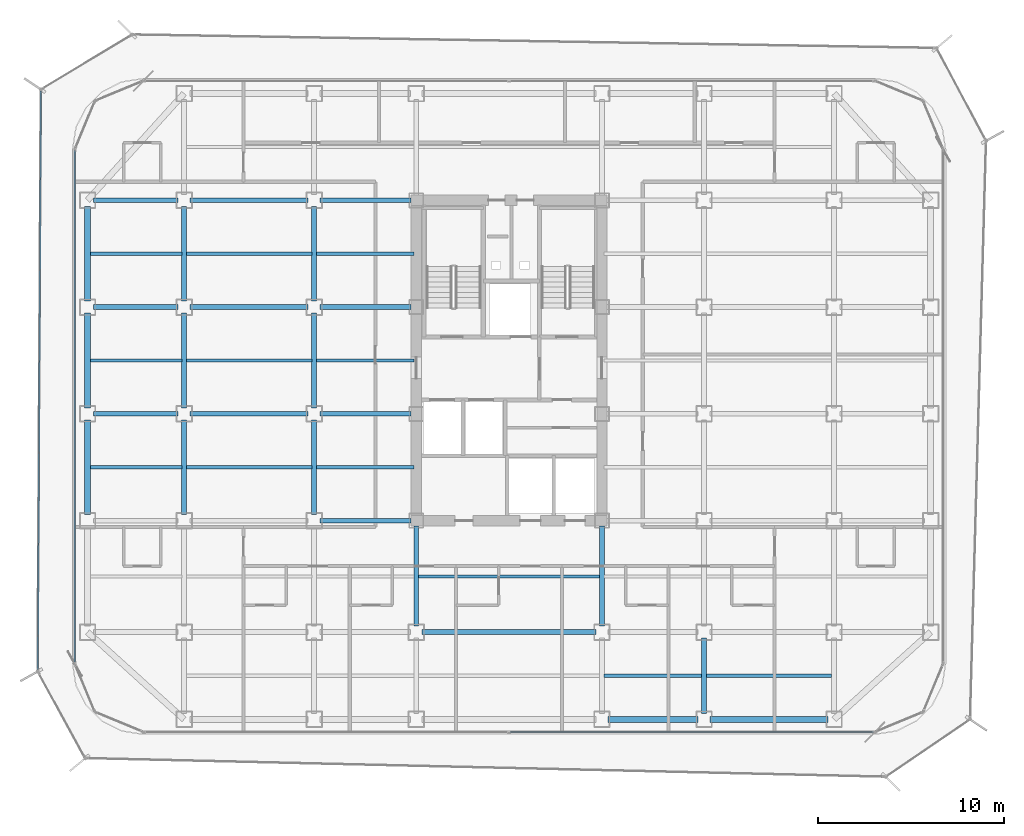
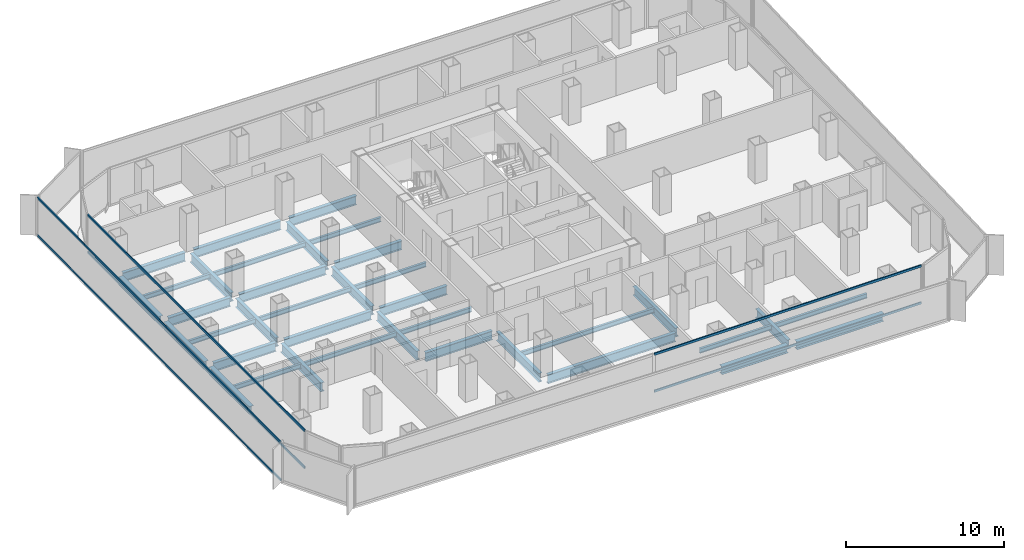
# One storey, part 5 of 21: 37 beams, 6 members, 3 elements without a shape of their own.
"""IFC4 building model written with IfcOpenShell, lengths in metres."""

from ifc_helpers import new_model, si_unit, direction, frame, origin, origin_2d, place, context, subcontext, project, spatial, hollow_rectangle, i_section, extrude, source, transform, mapped, material, layer, layer_set, material_profile, profile_set, type_object, element, aggregate, save


model = new_model("IFC4")

# Units and contexts
model_context = context("Model", 3, precision=1e-05, world=origin(), true_north=direction((0.0, 1.0)))
body_context = subcontext(model_context, "Body", "Model", "MODEL_VIEW")
ifc_project = project(units=[si_unit("LENGTHUNIT", "METRE"), si_unit("AREAUNIT", "SQUARE_METRE"), si_unit("VOLUMEUNIT", "CUBIC_METRE"), si_unit("PLANEANGLEUNIT", "RADIAN"), si_unit("MASSUNIT", "GRAM", prefix="KILO")], contexts=[model_context])

# Site, building, storey
site_placement = place(None, origin())
site = spatial("IfcSite", under=ifc_project, at=site_placement, CompositionType="ELEMENT")
building_placement = place(site_placement, origin())
building = spatial("IfcBuilding", under=site, at=building_placement, Name="Kolveth Station Tower", CompositionType="ELEMENT")
storey_placement = place(building_placement, frame((0.0, 0.0, 102.300048828125)))
storey = spatial("IfcBuildingStorey", under=building, at=storey_placement, Name="L27", CompositionType="ELEMENT", Elevation=102.300048828125)

# Beams
ifc_material_1 = material(Name="Steel S355", Category="steel")
ifc_material_profile_1 = material_profile(ifc_material_1, i_section(OverallWidth=0.323974609375, OverallDepth=0.611083984375, WebThickness=0.0126953125, FlangeThickness=0.01904296875, at=origin_2d()), Name="W610x155")
ifc_profile_set_1 = profile_set([ifc_material_profile_1], Name="Steel S355")
beam_type_1 = type_object("IfcBeamType", Name="Beam_SP2", PredefinedType="SPANDREL", material=ifc_profile_set_1)
shared_shape_1 = source(origin(), body_context, "Body", "SweptSolid", [
    extrude(i_section(OverallWidth=0.323974609375, OverallDepth=0.611083984375, WebThickness=0.0126953125, FlangeThickness=0.01904296875, at=origin_2d()), origin(), (0.0, 0.0, 1.0), 6.35986328125),
])
beam_1_placement = place(storey_placement, frame((34.320068359375, 0.800048828125, -0.5556640625), z_axis=(1.0, 0.0, 0.0), x_axis=(0.0, 1.0, 0.0)))
element("IfcBeam", 1, at=beam_1_placement, inside=storey, type_object=beam_type_1, Name="L27 Perimeter Spandrel BM-L27-PS-5", PredefinedType="SPANDREL", context=body_context, shape_type="MappedRepresentation", body=[
    mapped(shared_shape_1, transform((0.0, 0.0, 0.0), x_axis=(1.0, 0.0, 0.0), y_axis=(0.0, 1.0, 0.0), z_axis=(0.0, 0.0, 1.0), scale=1.0)),
])
shared_shape_2 = source(origin(), body_context, "Body", "SweptSolid", [
    extrude(i_section(OverallWidth=0.323974609375, OverallDepth=0.611083984375, WebThickness=0.0126953125, FlangeThickness=0.01904296875, at=origin_2d()), origin(), (0.0, 0.0, 1.0), 4.85986328125),
])
beam_2_placement = place(storey_placement, frame((28.820068359375, 0.800048828125, -0.5556640625), z_axis=(1.0, 0.0, 0.0), x_axis=(0.0, 1.0, 0.0)))
element("IfcBeam", 2, at=beam_2_placement, inside=storey, type_object=beam_type_1, Name="L27 Perimeter Spandrel BM-L27-PS-4", PredefinedType="SPANDREL", context=body_context, shape_type="MappedRepresentation", body=[
    mapped(shared_shape_2, transform((0.0, 0.0, 0.0), x_axis=(1.0, 0.0, 0.0), y_axis=(0.0, 1.0, 0.0), z_axis=(0.0, 0.0, 1.0), scale=1.0)),
])
shared_shape_3 = source(origin(), body_context, "Body", "SweptSolid", [
    extrude(i_section(OverallWidth=0.323974609375, OverallDepth=0.611083984375, WebThickness=0.0126953125, FlangeThickness=0.01904296875, at=origin_2d()), origin(), (0.0, 0.0, 1.0), 5.10986328125),
])
for number, where, z_axis, x_axis, name in (
    (3, (0.800048828125, 11.820068359375, -0.5556640625), (0.0, 1.0, 0.0), (-1.0, 0.0, 0.0), "L27 Perimeter Spandrel BM-L27-PW-2"),
    (4, (0.800048828125, 17.570068359375, -0.5556640625), (0.0, 1.0, 0.0), (-1.0, 0.0, 0.0), "L27 Perimeter Spandrel BM-L27-PW-3"),
    (5, (0.800048828125, 23.320068359375, -0.5556640625), (0.0, 1.0, 0.0), (-1.0, 0.0, 0.0), "L27 Perimeter Spandrel BM-L27-PW-4"),
):
    element("IfcBeam", number, at=place(storey_placement, frame(where, z_axis=z_axis, x_axis=x_axis)), inside=storey, type_object=beam_type_1, Name=name, PredefinedType="SPANDREL", context=body_context, shape_type="MappedRepresentation", body=[
        mapped(shared_shape_3, transform((0.0, 0.0, 0.0), x_axis=(1.0, 0.0, 0.0), y_axis=(0.0, 1.0, 0.0), z_axis=(0.0, 0.0, 1.0), scale=1.0)),
    ])
ifc_material_profile_2 = material_profile(ifc_material_1, i_section(OverallWidth=0.25390625, OverallDepth=0.68798828125, WebThickness=0.01318359375, FlangeThickness=0.02099609375, at=origin_2d()), Name="W690x152")
ifc_profile_set_2 = profile_set([ifc_material_profile_2], Name="Steel S355")
beam_type_2 = type_object("IfcBeamType", Name="Beam_B4", PredefinedType="BEAM", material=ifc_profile_set_2)
shared_shape_4 = source(origin(), body_context, "Body", "SweptSolid", [
    extrude(i_section(OverallWidth=0.25390625, OverallDepth=0.68798828125, WebThickness=0.01318359375, FlangeThickness=0.02099609375, at=origin_2d()), origin(), (0.0, 0.0, 1.0), 4.559814453125),
])
for number, where, z_axis, x_axis, name in (
    (6, (1.1201171875, 17.25, -0.593994140625), (1.0, 0.0, 0.0), (0.0, 1.0, 0.0), "L27 Primary Girder BM-L27-GY172-1"),
    (7, (1.1201171875, 23.0, -0.593994140625), (1.0, 0.0, 0.0), (0.0, 1.0, 0.0), "L27 Primary Girder BM-L27-GY230-1"),
    (8, (1.1201171875, 28.75, -0.593994140625), (1.0, 0.0, 0.0), (0.0, 1.0, 0.0), "L27 Primary Girder BM-L27-GY287-1"),
):
    element("IfcBeam", number, at=place(storey_placement, frame(where, z_axis=z_axis, x_axis=x_axis)), inside=storey, type_object=beam_type_2, Name=name, PredefinedType="BEAM", context=body_context, shape_type="MappedRepresentation", body=[
        mapped(shared_shape_4, transform((0.0, 0.0, 0.0), x_axis=(1.0, 0.0, 0.0), y_axis=(0.0, 1.0, 0.0), z_axis=(0.0, 0.0, 1.0), scale=1.0)),
    ])
shared_shape_5 = source(origin(), body_context, "Body", "SweptSolid", [
    extrude(i_section(OverallWidth=0.25390625, OverallDepth=0.68798828125, WebThickness=0.01318359375, FlangeThickness=0.02099609375, at=origin_2d()), origin(), (0.0, 0.0, 1.0), 6.35986328125),
])
for number, where, z_axis, x_axis, name in (
    (9, (6.320068359375, 17.25, -0.593994140625), (1.0, 0.0, 0.0), (0.0, 1.0, 0.0), "L27 Primary Girder BM-L27-GY172-2"),
    (10, (6.320068359375, 23.0, -0.593994140625), (1.0, 0.0, 0.0), (0.0, 1.0, 0.0), "L27 Primary Girder BM-L27-GY230-2"),
    (11, (6.320068359375, 28.75, -0.593994140625), (1.0, 0.0, 0.0), (0.0, 1.0, 0.0), "L27 Primary Girder BM-L27-GY287-2"),
):
    element("IfcBeam", number, at=place(storey_placement, frame(where, z_axis=z_axis, x_axis=x_axis)), inside=storey, type_object=beam_type_2, Name=name, PredefinedType="BEAM", context=body_context, shape_type="MappedRepresentation", body=[
        mapped(shared_shape_5, transform((0.0, 0.0, 0.0), x_axis=(1.0, 0.0, 0.0), y_axis=(0.0, 1.0, 0.0), z_axis=(0.0, 0.0, 1.0), scale=1.0)),
    ])
shared_shape_6 = source(origin(), body_context, "Body", "SweptSolid", [
    extrude(i_section(OverallWidth=0.25390625, OverallDepth=0.68798828125, WebThickness=0.01318359375, FlangeThickness=0.02099609375, at=origin_2d()), origin(), (0.0, 0.0, 1.0), 9.35986328125),
])
beam_3_placement = place(storey_placement, frame((18.820068359375, 5.5, -0.593994140625), z_axis=(1.0, 0.0, 0.0), x_axis=(0.0, 1.0, 0.0)))
element("IfcBeam", 12, at=beam_3_placement, inside=storey, type_object=beam_type_2, Name="L27 Primary Girder BM-L27-GY55-4", PredefinedType="BEAM", context=body_context, shape_type="MappedRepresentation", body=[
    mapped(shared_shape_6, transform((0.0, 0.0, 0.0), x_axis=(1.0, 0.0, 0.0), y_axis=(0.0, 1.0, 0.0), z_axis=(0.0, 0.0, 1.0), scale=1.0)),
])
shared_shape_7 = source(origin(), body_context, "Body", "SweptSolid", [
    extrude(i_section(OverallWidth=0.25390625, OverallDepth=0.68798828125, WebThickness=0.01318359375, FlangeThickness=0.02099609375, at=origin_2d()), origin(), (0.0, 0.0, 1.0), 4.89990234375),
])
for number, where, z_axis, x_axis, name in (
    (13, (13.320068359375, 11.5, -0.593994140625), (1.0, 0.0, 0.0), (0.0, 1.0, 0.0), "L27 Primary Girder BM-L27-GY115-3"),
    (14, (13.320068359375, 17.25, -0.593994140625), (1.0, 0.0, 0.0), (0.0, 1.0, 0.0), "L27 Primary Girder BM-L27-GY172-3"),
    (15, (13.320068359375, 23.0, -0.593994140625), (1.0, 0.0, 0.0), (0.0, 1.0, 0.0), "L27 Primary Girder BM-L27-GY230-3"),
    (16, (13.320068359375, 28.75, -0.593994140625), (1.0, 0.0, 0.0), (0.0, 1.0, 0.0), "L27 Primary Girder BM-L27-GY287-3"),
):
    element("IfcBeam", number, at=place(storey_placement, frame(where, z_axis=z_axis, x_axis=x_axis)), inside=storey, type_object=beam_type_2, Name=name, PredefinedType="BEAM", context=body_context, shape_type="MappedRepresentation", body=[
        mapped(shared_shape_7, transform((0.0, 0.0, 0.0), x_axis=(1.0, 0.0, 0.0), y_axis=(0.0, 1.0, 0.0), z_axis=(0.0, 0.0, 1.0), scale=1.0)),
    ])
shared_shape_8 = source(origin(), body_context, "Body", "SweptSolid", [
    extrude(i_section(OverallWidth=0.25390625, OverallDepth=0.68798828125, WebThickness=0.01318359375, FlangeThickness=0.02099609375, at=origin_2d()), origin(), (0.0, 0.0, 1.0), 4.059814453125),
])
beam_4_placement = place(storey_placement, frame((34.0, 1.1201171875, -0.593994140625), z_axis=(0.0, 1.0, 0.0), x_axis=(-1.0, 0.0, 0.0)))
element("IfcBeam", 17, at=beam_4_placement, inside=storey, type_object=beam_type_2, Name="L27 Primary Girder BM-L27-GX340-1", PredefinedType="BEAM", context=body_context, shape_type="MappedRepresentation", body=[
    mapped(shared_shape_8, transform((0.0, 0.0, 0.0), x_axis=(1.0, 0.0, 0.0), y_axis=(0.0, 1.0, 0.0), z_axis=(0.0, 0.0, 1.0), scale=1.0)),
])
shared_shape_9 = source(origin(), body_context, "Body", "SweptSolid", [
    extrude(i_section(OverallWidth=0.25390625, OverallDepth=0.68798828125, WebThickness=0.01318359375, FlangeThickness=0.02099609375, at=origin_2d()), origin(), (0.0, 0.0, 1.0), 5.10986328125),
])
for number, where, z_axis, x_axis, name in (
    (18, (6.0, 11.820068359375, -0.593994140625), (0.0, 1.0, 0.0), (-1.0, 0.0, 0.0), "L27 Primary Girder BM-L27-GX60-3"),
    (19, (6.0, 17.570068359375, -0.593994140625), (0.0, 1.0, 0.0), (-1.0, 0.0, 0.0), "L27 Primary Girder BM-L27-GX60-4"),
    (20, (6.0, 23.320068359375, -0.593994140625), (0.0, 1.0, 0.0), (-1.0, 0.0, 0.0), "L27 Primary Girder BM-L27-GX60-5"),
    (21, (13.0, 11.820068359375, -0.593994140625), (0.0, 1.0, 0.0), (-1.0, 0.0, 0.0), "L27 Primary Girder BM-L27-GX130-3"),
    (22, (13.0, 17.570068359375, -0.593994140625), (0.0, 1.0, 0.0), (-1.0, 0.0, 0.0), "L27 Primary Girder BM-L27-GX130-4"),
    (23, (13.0, 23.320068359375, -0.593994140625), (0.0, 1.0, 0.0), (-1.0, 0.0, 0.0), "L27 Primary Girder BM-L27-GX130-5"),
):
    element("IfcBeam", number, at=place(storey_placement, frame(where, z_axis=z_axis, x_axis=x_axis)), inside=storey, type_object=beam_type_2, Name=name, PredefinedType="BEAM", context=body_context, shape_type="MappedRepresentation", body=[
        mapped(shared_shape_9, transform((0.0, 0.0, 0.0), x_axis=(1.0, 0.0, 0.0), y_axis=(0.0, 1.0, 0.0), z_axis=(0.0, 0.0, 1.0), scale=1.0)),
    ])
shared_shape_10 = source(origin(), body_context, "Body", "SweptSolid", [
    extrude(i_section(OverallWidth=0.25390625, OverallDepth=0.68798828125, WebThickness=0.01318359375, FlangeThickness=0.02099609375, at=origin_2d()), origin(), (0.0, 0.0, 1.0), 5.39990234375),
])
for number, where, z_axis, x_axis, name in (
    (24, (18.5, 5.820068359375, -0.593994140625), (0.0, 1.0, 0.0), (-1.0, 0.0, 0.0), "L27 Primary Girder BM-L27-GX185-2"),
    (25, (28.5, 5.820068359375, -0.593994140625), (0.0, 1.0, 0.0), (-1.0, 0.0, 0.0), "L27 Primary Girder BM-L27-GX285-2"),
):
    element("IfcBeam", number, at=place(storey_placement, frame(where, z_axis=z_axis, x_axis=x_axis)), inside=storey, type_object=beam_type_2, Name=name, PredefinedType="BEAM", context=body_context, shape_type="MappedRepresentation", body=[
        mapped(shared_shape_10, transform((0.0, 0.0, 0.0), x_axis=(1.0, 0.0, 0.0), y_axis=(0.0, 1.0, 0.0), z_axis=(0.0, 0.0, 1.0), scale=1.0)),
    ])
ifc_material_profile_3 = material_profile(ifc_material_1, i_section(OverallWidth=0.1708984375, OverallDepth=0.35205078125, WebThickness=0.0068359375, FlangeThickness=0.009765625, at=origin_2d()), Name="W360x44")
ifc_profile_set_3 = profile_set([ifc_material_profile_3], Name="Steel S355")
beam_type_3 = type_object("IfcBeamType", Name="Beam_J2", PredefinedType="JOIST", material=ifc_profile_set_3)
shared_shape_11 = source(origin(), body_context, "Body", "SweptSolid", [
    extrude(i_section(OverallWidth=0.1708984375, OverallDepth=0.35205078125, WebThickness=0.0068359375, FlangeThickness=0.009765625, at=origin_2d()), origin(), (0.0, 0.0, 1.0), 4.9150390625),
])
for number, where, z_axis, x_axis, name in (
    (26, (0.9599609375, 14.375, -0.426025390625), (1.0, 0.0, 0.0), (0.0, 1.0, 0.0), "L27 Secondary Joist JST-L27-1-3"),
    (27, (0.9599609375, 20.125, -0.426025390625), (1.0, 0.0, 0.0), (0.0, 1.0, 0.0), "L27 Secondary Joist JST-L27-1-4"),
    (28, (0.9599609375, 25.875, -0.426025390625), (1.0, 0.0, 0.0), (0.0, 1.0, 0.0), "L27 Secondary Joist JST-L27-1-5"),
):
    element("IfcBeam", number, at=place(storey_placement, frame(where, z_axis=z_axis, x_axis=x_axis)), inside=storey, type_object=beam_type_3, Name=name, PredefinedType="JOIST", context=body_context, shape_type="MappedRepresentation", body=[
        mapped(shared_shape_11, transform((0.0, 0.0, 0.0), x_axis=(1.0, 0.0, 0.0), y_axis=(0.0, 1.0, 0.0), z_axis=(0.0, 0.0, 1.0), scale=1.0)),
    ])
shared_shape_12 = source(origin(), body_context, "Body", "SweptSolid", [
    extrude(i_section(OverallWidth=0.1708984375, OverallDepth=0.35205078125, WebThickness=0.0068359375, FlangeThickness=0.009765625, at=origin_2d()), origin(), (0.0, 0.0, 1.0), 6.75),
])
for number, where, z_axis, x_axis, name in (
    (29, (6.125, 14.375, -0.426025390625), (1.0, 0.0, 0.0), (0.0, 1.0, 0.0), "L27 Secondary Joist JST-L27-2-3"),
    (30, (6.125, 20.125, -0.426025390625), (1.0, 0.0, 0.0), (0.0, 1.0, 0.0), "L27 Secondary Joist JST-L27-2-4"),
    (31, (6.125, 25.875, -0.426025390625), (1.0, 0.0, 0.0), (0.0, 1.0, 0.0), "L27 Secondary Joist JST-L27-2-5"),
    (32, (34.125, 3.14990234375, -0.426025390625), (1.0, 0.0, 0.0), (0.0, 1.0, 0.0), "L27 Secondary Joist JST-L27-6-1"),
):
    element("IfcBeam", number, at=place(storey_placement, frame(where, z_axis=z_axis, x_axis=x_axis)), inside=storey, type_object=beam_type_3, Name=name, PredefinedType="JOIST", context=body_context, shape_type="MappedRepresentation", body=[
        mapped(shared_shape_12, transform((0.0, 0.0, 0.0), x_axis=(1.0, 0.0, 0.0), y_axis=(0.0, 1.0, 0.0), z_axis=(0.0, 0.0, 1.0), scale=1.0)),
    ])
shared_shape_13 = source(origin(), body_context, "Body", "SweptSolid", [
    extrude(i_section(OverallWidth=0.1708984375, OverallDepth=0.35205078125, WebThickness=0.0068359375, FlangeThickness=0.009765625, at=origin_2d()), origin(), (0.0, 0.0, 1.0), 5.25),
])
for number, where, z_axis, x_axis, name in (
    (33, (13.125, 14.375, -0.426025390625), (1.0, 0.0, 0.0), (0.0, 1.0, 0.0), "L27 Secondary Joist JST-L27-3-3"),
    (34, (13.125, 20.125, -0.426025390625), (1.0, 0.0, 0.0), (0.0, 1.0, 0.0), "L27 Secondary Joist JST-L27-3-4"),
    (35, (13.125, 25.875, -0.426025390625), (1.0, 0.0, 0.0), (0.0, 1.0, 0.0), "L27 Secondary Joist JST-L27-3-5"),
    (36, (28.625, 3.14990234375, -0.426025390625), (1.0, 0.0, 0.0), (0.0, 1.0, 0.0), "L27 Secondary Joist JST-L27-5-1"),
):
    element("IfcBeam", number, at=place(storey_placement, frame(where, z_axis=z_axis, x_axis=x_axis)), inside=storey, type_object=beam_type_3, Name=name, PredefinedType="JOIST", context=body_context, shape_type="MappedRepresentation", body=[
        mapped(shared_shape_13, transform((0.0, 0.0, 0.0), x_axis=(1.0, 0.0, 0.0), y_axis=(0.0, 1.0, 0.0), z_axis=(0.0, 0.0, 1.0), scale=1.0)),
    ])
shared_shape_14 = source(origin(), body_context, "Body", "SweptSolid", [
    extrude(i_section(OverallWidth=0.1708984375, OverallDepth=0.35205078125, WebThickness=0.0068359375, FlangeThickness=0.009765625, at=origin_2d()), origin(), (0.0, 0.0, 1.0), 9.75),
])
beam_5_placement = place(storey_placement, frame((18.625, 8.5, -0.426025390625), z_axis=(1.0, 0.0, 0.0), x_axis=(0.0, 1.0, 0.0)))
element("IfcBeam", 37, at=beam_5_placement, inside=storey, type_object=beam_type_3, Name="L27 Secondary Joist JST-L27-4-2", PredefinedType="JOIST", context=body_context, shape_type="MappedRepresentation", body=[
    mapped(shared_shape_14, transform((0.0, 0.0, 0.0), x_axis=(1.0, 0.0, 0.0), y_axis=(0.0, 1.0, 0.0), z_axis=(0.0, 0.0, 1.0), scale=1.0)),
])

# Curtain wall, members
ifc_material_2 = material(Name="Aluminium 6063-T6 and low-E dark glass", Category="aluminium")
ifc_layer_1 = layer(ifc_material_2, 0.18994140625)
ifc_layer_set_1 = layer_set([ifc_layer_1], Name="Aluminium 6063-T6 and low-E dark glass")
curtain_wall_type_1 = type_object("IfcCurtainWallType", Name="CurtainWall_CW-Z2", PredefinedType="NOTDEFINED", material=ifc_layer_set_1)
curtain_wall_1_placement = place(storey_placement, origin())
curtain_wall_1 = element("IfcCurtainWall", 38, at=curtain_wall_1_placement, inside=storey, type_object=curtain_wall_type_1, Name="L27 Inner Thermal Curtain Wall 9", PredefinedType="NOTDEFINED")
ifc_material_3 = material(Name="Black anodized aluminium 6063-T6", Category="aluminium")
ifc_material_profile_4 = material_profile(ifc_material_3, hollow_rectangle(XDim=0.080078125, YDim=0.169921875, WallThickness=0.0048828125, at=origin_2d()), Name="ALU-80x170x5")
ifc_profile_set_4 = profile_set([ifc_material_profile_4], Name="Black anodized aluminium 6063-T6")
member_type_1 = type_object("IfcMemberType", Name="Transom_TR2", PredefinedType="USERDEFINED", material=ifc_profile_set_4)
shared_shape_15 = source(origin(), body_context, "Body", "SweptSolid", [
    extrude(hollow_rectangle(XDim=0.080078125, YDim=0.169921875, WallThickness=0.0048828125, at=origin_2d()), origin(), (0.0, 0.0, 1.0), 27.5400390625),
])
member_1_placement = place(storey_placement, frame((0.1201171875, 31.419921875, 0.0400390625), z_axis=(0.0, -1.0, 0.0), x_axis=(1.0, 0.0, 0.0)))
member_1 = element("IfcMember", 39, at=member_1_placement, type_object=member_type_1, Name="CW-Z2 transom 1.1", ObjectType="TRANSOM", PredefinedType="USERDEFINED", context=body_context, shape_type="MappedRepresentation", body=[
    mapped(shared_shape_15, transform((0.0, 0.0, 0.0), x_axis=(1.0, 0.0, 0.0), y_axis=(0.0, 1.0, 0.0), z_axis=(0.0, 0.0, 1.0), scale=1.0)),
])
member_2_placement = place(storey_placement, frame((0.1201171875, 31.419921875, 2.909912109375), z_axis=(0.0, -1.0, 0.0), x_axis=(1.0, 0.0, 0.0)))
member_2 = element("IfcMember", 40, at=member_2_placement, type_object=member_type_1, Name="CW-Z2 transom 1.2", ObjectType="TRANSOM", PredefinedType="USERDEFINED", context=body_context, shape_type="MappedRepresentation", body=[
    mapped(shared_shape_15, transform((0.0, 0.0, 0.0), x_axis=(1.0, 0.0, 0.0), y_axis=(0.0, 1.0, 0.0), z_axis=(0.0, 0.0, 1.0), scale=1.0)),
])
aggregate(curtain_wall_1, [member_1, member_2])

curtain_wall_2_placement = place(storey_placement, origin())
curtain_wall_2 = element("IfcCurtainWall", 41, at=curtain_wall_2_placement, inside=storey, type_object=curtain_wall_type_1, Name="L27 Inner Thermal Curtain Wall 12", PredefinedType="NOTDEFINED")
shared_shape_16 = source(origin(), body_context, "Body", "SweptSolid", [
    extrude(hollow_rectangle(XDim=0.080078125, YDim=0.169921875, WallThickness=0.0048828125, at=origin_2d()), origin(), (0.0, 0.0, 1.0), 19.580078125),
])
member_3_placement = place(storey_placement, frame((23.5400390625, 0.1201171875, 0.0400390625), z_axis=(1.0, 0.0, 0.0), x_axis=(0.0, 1.0, 0.0)))
member_3 = element("IfcMember", 42, at=member_3_placement, type_object=member_type_1, Name="CW-Z2 transom 2.1", ObjectType="TRANSOM", PredefinedType="USERDEFINED", context=body_context, shape_type="MappedRepresentation", body=[
    mapped(shared_shape_16, transform((0.0, 0.0, 0.0), x_axis=(1.0, 0.0, 0.0), y_axis=(0.0, 1.0, 0.0), z_axis=(0.0, 0.0, 1.0), scale=1.0)),
])
member_4_placement = place(storey_placement, frame((23.5400390625, 0.1201171875, 2.909912109375), z_axis=(1.0, 0.0, 0.0), x_axis=(0.0, 1.0, 0.0)))
member_4 = element("IfcMember", 43, at=member_4_placement, type_object=member_type_1, Name="CW-Z2 transom 2.2", ObjectType="TRANSOM", PredefinedType="USERDEFINED", context=body_context, shape_type="MappedRepresentation", body=[
    mapped(shared_shape_16, transform((0.0, 0.0, 0.0), x_axis=(1.0, 0.0, 0.0), y_axis=(0.0, 1.0, 0.0), z_axis=(0.0, 0.0, 1.0), scale=1.0)),
])
aggregate(curtain_wall_2, [member_3, member_4])

ifc_material_4 = material(Name="Black anodized aluminium 6063-T6 and dark solar glass", Category="aluminium")
ifc_layer_2 = layer(ifc_material_4, 0.159912109375)
ifc_layer_set_2 = layer_set([ifc_layer_2], Name="Black anodized aluminium 6063-T6 and dark solar glass")
curtain_wall_type_2 = type_object("IfcCurtainWallType", Name="OUTER SKIN CW-OS", PredefinedType="NOTDEFINED", material=ifc_layer_set_2)
curtain_wall_3_placement = place(storey_placement, origin())
curtain_wall_3 = element("IfcCurtainWall", 44, at=curtain_wall_3_placement, inside=storey, type_object=curtain_wall_type_2, Name="L27 Outer Ventilated Skin Curtain Wall 6", PredefinedType="NOTDEFINED")
ifc_material_profile_5 = material_profile(ifc_material_3, hollow_rectangle(XDim=0.080078125, YDim=0.14990234375, WallThickness=0.0048828125, at=origin_2d()), Name="ALU-80x150x5")
ifc_profile_set_5 = profile_set([ifc_material_profile_5], Name="Black anodized aluminium 6063-T6")
member_type_2 = type_object("IfcMemberType", Name="Transom_TR-OS", PredefinedType="USERDEFINED", material=ifc_profile_set_5)
shared_shape_17 = source(origin(), body_context, "Body", "SweptSolid", [
    extrude(hollow_rectangle(XDim=0.080078125, YDim=0.14990234375, WallThickness=0.0048828125, at=origin_2d()), origin(), (0.0, 0.0, 1.0), 31.152587890625),
])
member_5_placement = place(storey_placement, frame((-1.706298828125, 34.6259765625, 0.0400390625), z_axis=(-0.005470180463, -0.999985038451, 0.0), x_axis=(0.999985038451, -0.005470180463, 0.0)))
member_5 = element("IfcMember", 45, at=member_5_placement, type_object=member_type_2, Name="CW-OS transom 1.1", ObjectType="TRANSOM", PredefinedType="USERDEFINED", context=body_context, shape_type="MappedRepresentation", body=[
    mapped(shared_shape_17, transform((0.0, 0.0, 0.0), x_axis=(1.0, 0.0, 0.0), y_axis=(0.0, 1.0, 0.0), z_axis=(0.0, 0.0, 1.0), scale=1.0)),
])
member_6_placement = place(storey_placement, frame((-1.706298828125, 34.6259765625, 2.949951171875), z_axis=(-0.005470180463, -0.999985038451, 0.0), x_axis=(0.999985038451, -0.005470180463, 0.0)))
member_6 = element("IfcMember", 46, at=member_6_placement, type_object=member_type_2, Name="CW-OS transom 1.2", ObjectType="TRANSOM", PredefinedType="USERDEFINED", context=body_context, shape_type="MappedRepresentation", body=[
    mapped(shared_shape_17, transform((0.0, 0.0, 0.0), x_axis=(1.0, 0.0, 0.0), y_axis=(0.0, 1.0, 0.0), z_axis=(0.0, 0.0, 1.0), scale=1.0)),
])
aggregate(curtain_wall_3, [member_5, member_6])

save(model, "model.ifc")
